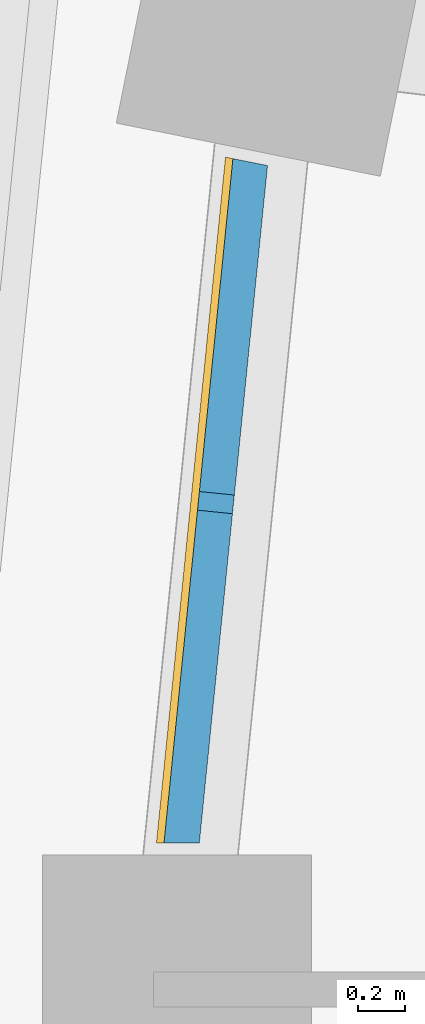
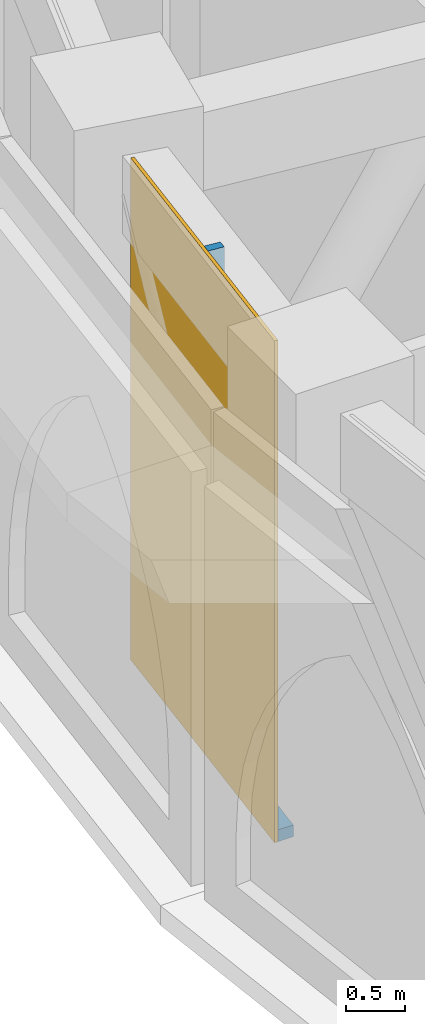
# One storey, part 13 of 25: 2 members, 1 curtain wall.
"""IFC4 building model written with IfcOpenShell, lengths in metres."""

from ifc_helpers import new_model, si_unit, direction, frame, origin, origin_2d, place, context, subcontext, project, spatial, polyline, rectangle, outline, extrude, material, layer, layer_set, material_profile, profile_set, type_object, element, aggregate, save


model = new_model("IFC4")

# Units and contexts
model_context = context("Model", 3, precision=1e-05, world=origin(), true_north=direction((0.0, 1.0)))
body_context = subcontext(model_context, "Body", "Model", "MODEL_VIEW")
ifc_project = project(units=[si_unit("LENGTHUNIT", "METRE"), si_unit("AREAUNIT", "SQUARE_METRE"), si_unit("VOLUMEUNIT", "CUBIC_METRE"), si_unit("PLANEANGLEUNIT", "RADIAN"), si_unit("MASSUNIT", "GRAM", prefix="KILO")], contexts=[model_context])

# Member
ifc_material_1 = material(Name="Aluminium 6063-T6 black anodised", Category="aluminium")
ifc_material_profile = material_profile(ifc_material_1, rectangle(XDim=0.14990234375, YDim=0.080078125, at=origin_2d()), Name="150x80")
ifc_profile_set = profile_set([ifc_material_profile], Name="Aluminium 6063-T6 black anodised")
member_type_1 = type_object("IfcMemberType", Name="ENV-MULLION-B-150", PredefinedType="MULLION", material=ifc_profile_set)
site_placement = place(None, origin())
building_placement = place(site_placement, origin())
storey_placement = place(building_placement, frame((0.0, 0.0, 198.0)))
member_1_placement = place(storey_placement, frame((-34.778564453125, 2.07958984375, 0.1201171875), z_axis=(0.0, 0.0, 1.0), x_axis=(0.994969504864, -0.100178263068, 0.0)))
member_1 = element("IfcMember", 1, at=member_1_placement, type_object=member_type_1, Name="Mullion B chord 23", PredefinedType="MULLION", context=body_context, shape_type="SweptSolid", body=[
    extrude(rectangle(XDim=0.14990234375, YDim=0.080078125, at=origin_2d()), origin(), (0.0, 0.0, 1.0), 5.02978515625),
])

ifc_material_2 = material(Name="Aluminium 6063-T6 black anodised", Category="aluminium")
member_type_2 = type_object("IfcMemberType", Name="ENV-TRANSOM-B", PredefinedType="USERDEFINED", material=ifc_material_2)
member_2_placement = place(storey_placement, origin())
member_2 = element("IfcMember", 2, at=member_2_placement, type_object=member_type_2, Name="Transom B radial 23-24", ObjectType="TRANSOM", PredefinedType="USERDEFINED", context=body_context, shape_type="SweptSolid", body=[
    extrude(outline(polyline([(-34.7060546875, 3.548583984375), (-35.000244140625, 0.62646484375), (-34.849365234375, 0.62646484375), (-34.55810546875, 3.518798828125), (-34.7060546875, 3.548583984375)])), origin(), (0.0, 0.0, 1.0), 0.1201171875),
])

# Site, building, storey
site = spatial("IfcSite", under=ifc_project, at=site_placement, CompositionType="ELEMENT")
building = spatial("IfcBuilding", under=site, at=building_placement, Name="Noorbagh Ring Tower", CompositionType="ELEMENT")
storey = spatial("IfcBuildingStorey", under=building, at=storey_placement, Name="L46", CompositionType="ELEMENT", Elevation=198.0)

# Curtain wall
ifc_material_3 = material(Name="Glass dark tinted laminated", Category="glass")
ifc_layer = layer(ifc_material_3, 0.031982421875)
ifc_layer_set = layer_set([ifc_layer], Name="Glass dark tinted laminated")
curtain_wall_type = type_object("IfcCurtainWallType", Name="ENV-CW-B", PredefinedType="NOTDEFINED", material=ifc_layer_set)
curtain_wall_placement = place(storey_placement, origin())
curtain_wall = element("IfcCurtainWall", 3, at=curtain_wall_placement, inside=storey, type_object=curtain_wall_type, Name="Curtain wall B R23", PredefinedType="NOTDEFINED", context=body_context, shape_type="SweptSolid", body=[
    extrude(outline(polyline([(-34.737548828125, 3.554931640625), (-35.032470703125, 0.62646484375), (-35.000244140625, 0.62646484375), (-34.7060546875, 3.548583984375), (-34.737548828125, 3.554931640625)])), origin(), (0.0, 0.0, 1.0), 5.14990234375),
])

aggregate(curtain_wall, [member_1, member_2])

save(model, "model.ifc")
